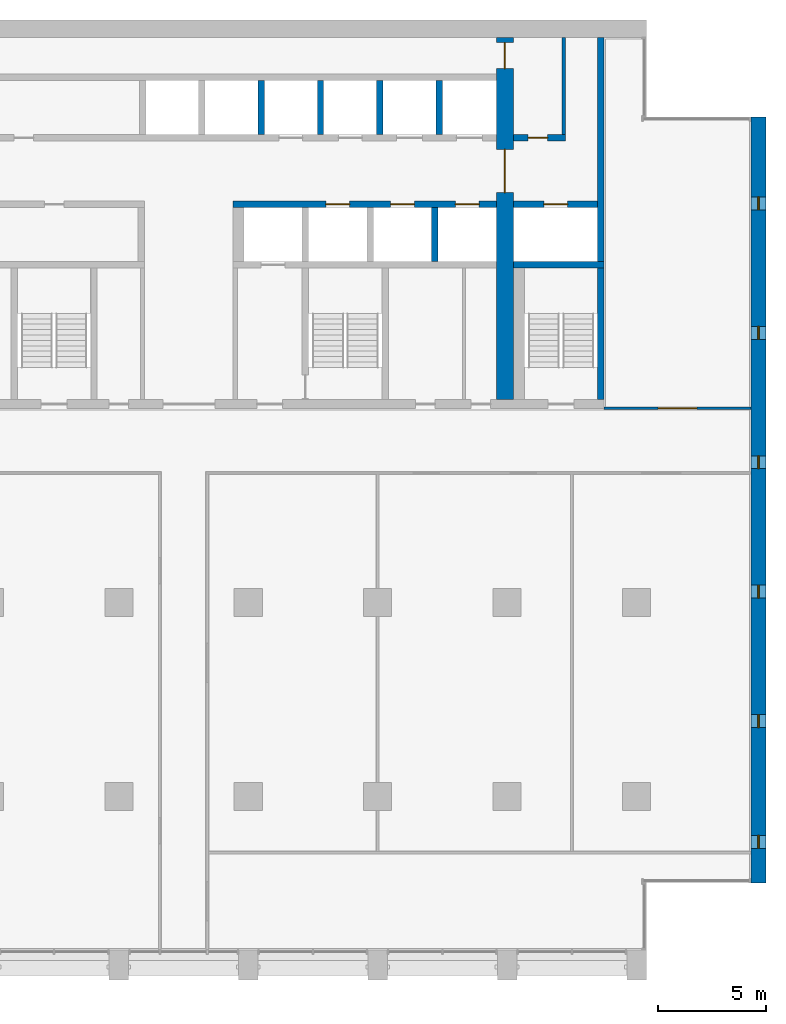
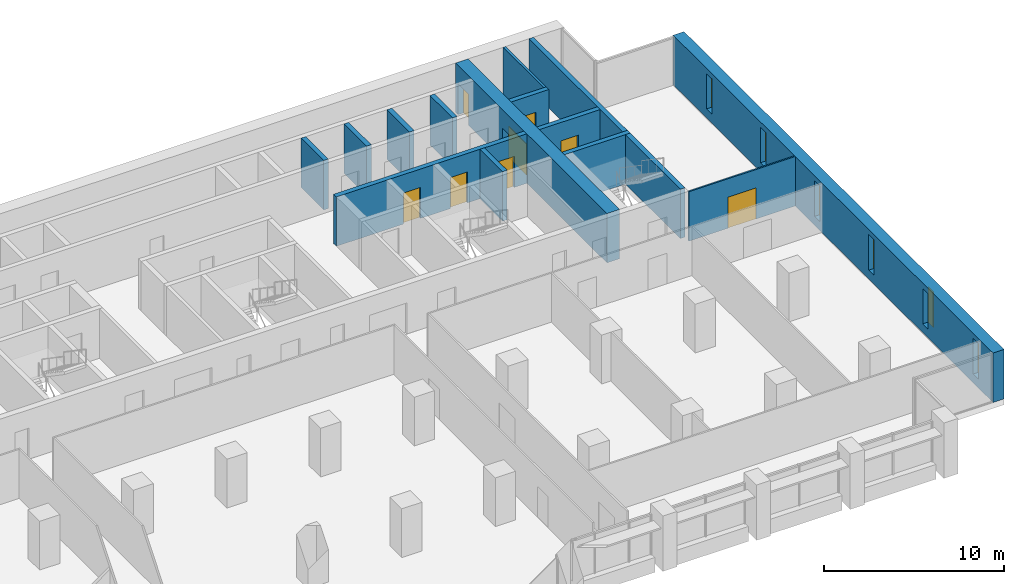
# One storey, part 11 of 15: 15 walls, 8 doors, 6 windows, 14 openings.
"""IFC4 building model written with IfcOpenShell, lengths in metres."""

from ifc_helpers import new_model, si_unit, direction, frame, frame_2d, origin, place, context, subcontext, project, spatial, rectangle, extrude, material, layer, layer_set, type_object, element, fill, save


model = new_model("IFC4")

# Units and contexts
model_context = context("Model", 3, precision=1e-05, world=origin(), true_north=direction((0.0, 1.0)))
body_context = subcontext(model_context, "Body", "Model", "MODEL_VIEW")
ifc_project = project(units=[si_unit("LENGTHUNIT", "METRE"), si_unit("AREAUNIT", "SQUARE_METRE"), si_unit("VOLUMEUNIT", "CUBIC_METRE"), si_unit("PLANEANGLEUNIT", "RADIAN"), si_unit("MASSUNIT", "GRAM", prefix="KILO")], contexts=[model_context])

# Site, building, storey
site_placement = place(None, origin())
site = spatial("IfcSite", under=ifc_project, at=site_placement, CompositionType="ELEMENT")
building_placement = place(site_placement, origin())
building = spatial("IfcBuilding", under=site, at=building_placement, Name="Calvaro Tower", CompositionType="ELEMENT")
storey_placement = place(building_placement, frame((0.0, 0.0, 128.75)))
storey = spatial("IfcBuildingStorey", under=building, at=storey_placement, Name="L32", CompositionType="ELEMENT", Elevation=128.75)

# Wall
ifc_material_1 = material(Name="Blockwork partition", Category="masonry")
ifc_layer_1 = layer(ifc_material_1, 0.14990234375)
ifc_layer_set_1 = layer_set([ifc_layer_1], Name="Blockwork partition")
wall_type_1 = type_object("IfcWallType", Name="Core partition 150 REI 120", PredefinedType="PARTITIONING", material=ifc_layer_set_1)
wall_1_placement = place(storey_placement, frame((62.625, 40.699951171875, 0.0), z_axis=(0.0, 0.0, 1.0), x_axis=(0.0, 1.0, 0.0)))
element("IfcWall", 1, at=wall_1_placement, inside=storey, type_object=wall_type_1, Name="Core partition", PredefinedType="PARTITIONING", context=body_context, shape_type="SweptSolid", body=[
    extrude(rectangle(XDim=4.5, YDim=0.14990234375, at=frame_2d((2.25, 0.0))), origin(), (0.0, 0.0, 1.0), 3.35009765625),
])

# Wall, opening, door
ifc_material_2 = material(Name="Blockwork partition", Category="masonry")
ifc_layer_2 = layer(ifc_material_2, 0.300048828125)
ifc_layer_set_2 = layer_set([ifc_layer_2], Name="Blockwork partition")
wall_type_2 = type_object("IfcWallType", Name="Core partition 300 REI 120", PredefinedType="PARTITIONING", material=ifc_layer_set_2)
wall_2_placement = place(storey_placement, frame((60.300048828125, 40.550048828125, 0.0), z_axis=(0.0, 0.0, 1.0), x_axis=(1.0, 0.0, 0.0)))
wall_2 = element("IfcWall", 2, at=wall_2_placement, inside=storey, type_object=wall_type_2, Name="Core partition", PredefinedType="PARTITIONING", context=body_context, shape_type="SweptSolid", body=[
    extrude(rectangle(XDim=2.39990234375, YDim=0.300048828125, at=frame_2d((1.199951171875, 0.0))), origin(), (0.0, 0.0, 1.0), 3.35009765625),
])
opening_1_placement = place(wall_2_placement, frame((0.675048828125, 0.0, 0.0)))
opening_1 = element("IfcOpeningElement", 3, at=opening_1_placement, cuts=wall_2, Name="Opening RD9E", PredefinedType="OPENING", context=body_context, shape_type="SweptSolid", body=[
    extrude(rectangle(XDim=0.89990234375, YDim=2.10009765625, at=frame_2d((0.449951171875, 1.050048828125))), frame((0.0, 0.159912109375, 0.0), z_axis=(0.0, -1.0, 0.0), x_axis=(1.0, 0.0, 0.0)), (0.0, 0.0, 1.0), 0.320068359375),
])
ifc_material_3 = material(Name="Steel door set", Category="steel")
door_type_1 = type_object("IfcDoorType", Name="Room door 900 FD60", OperationType="SINGLE_SWING_LEFT", PredefinedType="DOOR", material=ifc_material_3)
door_1_placement = place(opening_1_placement, origin())
door_1 = element("IfcDoor", 4, at=door_1_placement, inside=storey, type_object=door_type_1, Name="Room door", OperationType="SINGLE_SWING_LEFT", OverallHeight=2.10009765625, OverallWidth=0.89990234375, PredefinedType="DOOR", context=body_context, shape_type="SweptSolid", body=[
    extrude(rectangle(XDim=0.89990234375, YDim=2.10009765625, at=frame_2d((0.449951171875, 1.050048828125))), frame((0.0, 0.02490234375, 0.0), z_axis=(0.0, -1.0, 0.0), x_axis=(1.0, 0.0, 0.0)), (0.0, 0.0, 1.0), 0.050048828125),
])
fill(opening_1, door_1)

# Walls
ifc_material_4 = material(Name="Concrete C60/75", Category="concrete")
ifc_layer_3 = layer(ifc_material_4, 0.300048828125)
ifc_layer_set_3 = layer_set([ifc_layer_3], Name="Concrete C60/75")
wall_type_3 = type_object("IfcWallType", Name="Core wall C60/75 300", PredefinedType="SHEAR", material=ifc_layer_set_3)
wall_3_placement = place(storey_placement, frame((64.35009765625, 34.800048828125, 0.0), z_axis=(0.0, 0.0, 1.0), x_axis=(0.0, 1.0, 0.0)))
element("IfcWall", 5, at=wall_3_placement, inside=storey, type_object=wall_type_3, Name="Core wall, boundary", PredefinedType="SHEAR", context=body_context, shape_type="SweptSolid", body=[
    extrude(rectangle(XDim=10.39990234375, YDim=0.300048828125, at=frame_2d((5.199951171875, 0.0))), origin(), (0.0, 0.0, 1.0), 3.35009765625),
])
wall_4_placement = place(storey_placement, frame((64.35009765625, 28.39990234375, 0.0), z_axis=(0.0, 0.0, 1.0), x_axis=(0.0, 1.0, 0.0)))
element("IfcWall", 6, at=wall_4_placement, inside=storey, type_object=wall_type_3, Name="Core wall, stair enclosure", PredefinedType="SHEAR", context=body_context, shape_type="SweptSolid", body=[
    extrude(rectangle(XDim=6.10009765625, YDim=0.300048828125, at=frame_2d((3.050048828125, 0.0))), origin(), (0.0, 0.0, 1.0), 3.35009765625),
])
wall_5_placement = place(storey_placement, frame((60.300048828125, 34.64990234375, 0.0), z_axis=(0.0, 0.0, 1.0), x_axis=(1.0, 0.0, 0.0)))
element("IfcWall", 7, at=wall_5_placement, inside=storey, type_object=wall_type_3, Name="Core wall, lift shaft", PredefinedType="SHEAR", context=body_context, shape_type="SweptSolid", body=[
    extrude(rectangle(XDim=4.199951171875, YDim=0.300048828125, at=frame_2d((2.10009765625, 0.0))), origin(), (0.0, 0.0, 1.0), 3.35009765625),
])

# Wall, openings, doors
wall_6_placement = place(storey_placement, frame((47.300048828125, 37.449951171875, 0.0), z_axis=(0.0, 0.0, 1.0), x_axis=(1.0, 0.0, 0.0)))
wall_6 = element("IfcWall", 8, at=wall_6_placement, inside=storey, type_object=wall_type_3, Name="Core wall, lift shaft", PredefinedType="SHEAR", context=body_context, shape_type="SweptSolid", body=[
    extrude(rectangle(XDim=12.199951171875, YDim=0.300048828125, at=frame_2d((6.10009765625, 0.0))), origin(), (0.0, 0.0, 1.0), 3.35009765625),
])
opening_2_placement = place(wall_6_placement, frame((4.300048828125, 0.0, 0.0)))
opening_2 = element("IfcOpeningElement", 9, at=opening_2_placement, cuts=wall_6, Name="Opening MR1", PredefinedType="OPENING", context=body_context, shape_type="SweptSolid", body=[
    extrude(rectangle(XDim=1.10009765625, YDim=2.10009765625, at=frame_2d((0.550048828125, 1.050048828125))), frame((0.0, 0.159912109375, 0.0), z_axis=(0.0, -1.0, 0.0), x_axis=(1.0, 0.0, 0.0)), (0.0, 0.0, 1.0), 0.320068359375),
])
opening_3_placement = place(wall_6_placement, frame((7.300048828125, 0.0, 0.0)))
opening_3 = element("IfcOpeningElement", 10, at=opening_3_placement, cuts=wall_6, Name="Opening MR2", PredefinedType="OPENING", context=body_context, shape_type="SweptSolid", body=[
    extrude(rectangle(XDim=1.10009765625, YDim=2.10009765625, at=frame_2d((0.550048828125, 1.050048828125))), frame((0.0, 0.159912109375, 0.0), z_axis=(0.0, -1.0, 0.0), x_axis=(1.0, 0.0, 0.0)), (0.0, 0.0, 1.0), 0.320068359375),
])
opening_4_placement = place(wall_6_placement, frame((10.300048828125, 0.0, 0.0)))
opening_4 = element("IfcOpeningElement", 11, at=opening_4_placement, cuts=wall_6, Name="Opening MR3", PredefinedType="OPENING", context=body_context, shape_type="SweptSolid", body=[
    extrude(rectangle(XDim=1.10009765625, YDim=2.10009765625, at=frame_2d((0.550048828125, 1.050048828125))), frame((0.0, 0.159912109375, 0.0), z_axis=(0.0, -1.0, 0.0), x_axis=(1.0, 0.0, 0.0)), (0.0, 0.0, 1.0), 0.320068359375),
])
ifc_material_5 = material(Name="Stainless steel", Category="steel")
door_type_2 = type_object("IfcDoorType", Name="Landing door 1100 E 60", OperationType="SLIDING_TO_LEFT", PredefinedType="DOOR", material=ifc_material_5)
door_2_placement = place(opening_2_placement, origin())
door_2 = element("IfcDoor", 12, at=door_2_placement, inside=storey, type_object=door_type_2, Name="Landing door MR1", OperationType="SLIDING_TO_LEFT", OverallHeight=2.10009765625, OverallWidth=1.10009765625, PredefinedType="DOOR", context=body_context, shape_type="SweptSolid", body=[
    extrude(rectangle(XDim=1.10009765625, YDim=2.10009765625, at=frame_2d((0.550048828125, 1.050048828125))), frame((0.0, 0.02490234375, 0.0), z_axis=(0.0, -1.0, 0.0), x_axis=(1.0, 0.0, 0.0)), (0.0, 0.0, 1.0), 0.050048828125),
])
fill(opening_2, door_2)
door_3_placement = place(opening_3_placement, origin())
door_3 = element("IfcDoor", 13, at=door_3_placement, inside=storey, type_object=door_type_2, Name="Landing door MR2", OperationType="SLIDING_TO_LEFT", OverallHeight=2.10009765625, OverallWidth=1.10009765625, PredefinedType="DOOR", context=body_context, shape_type="SweptSolid", body=[
    extrude(rectangle(XDim=1.10009765625, YDim=2.10009765625, at=frame_2d((0.550048828125, 1.050048828125))), frame((0.0, 0.02490234375, 0.0), z_axis=(0.0, -1.0, 0.0), x_axis=(1.0, 0.0, 0.0)), (0.0, 0.0, 1.0), 0.050048828125),
])
fill(opening_3, door_3)
door_4_placement = place(opening_4_placement, origin())
door_4 = element("IfcDoor", 14, at=door_4_placement, inside=storey, type_object=door_type_2, Name="Landing door MR3", OperationType="SLIDING_TO_LEFT", OverallHeight=2.10009765625, OverallWidth=1.10009765625, PredefinedType="DOOR", context=body_context, shape_type="SweptSolid", body=[
    extrude(rectangle(XDim=1.10009765625, YDim=2.10009765625, at=frame_2d((0.550048828125, 1.050048828125))), frame((0.0, 0.02490234375, 0.0), z_axis=(0.0, -1.0, 0.0), x_axis=(1.0, 0.0, 0.0)), (0.0, 0.0, 1.0), 0.050048828125),
])
fill(opening_4, door_4)

# Wall, opening, door
wall_7_placement = place(storey_placement, frame((60.300048828125, 37.449951171875, 0.0), z_axis=(0.0, 0.0, 1.0), x_axis=(1.0, 0.0, 0.0)))
wall_7 = element("IfcWall", 15, at=wall_7_placement, inside=storey, type_object=wall_type_3, Name="Core wall, lift shaft", PredefinedType="SHEAR", context=body_context, shape_type="SweptSolid", body=[
    extrude(rectangle(XDim=3.89990234375, YDim=0.300048828125, at=frame_2d((1.949951171875, 0.0))), origin(), (0.0, 0.0, 1.0), 3.35009765625),
])
opening_5_placement = place(wall_7_placement, frame((1.39990234375, 0.0, 0.0)))
opening_5 = element("IfcOpeningElement", 16, at=opening_5_placement, cuts=wall_7, Name="Opening FF3", PredefinedType="OPENING", context=body_context, shape_type="SweptSolid", body=[
    extrude(rectangle(XDim=1.10009765625, YDim=2.10009765625, at=frame_2d((0.550048828125, 1.050048828125))), frame((0.0, 0.159912109375, 0.0), z_axis=(0.0, -1.0, 0.0), x_axis=(1.0, 0.0, 0.0)), (0.0, 0.0, 1.0), 0.320068359375),
])
door_5_placement = place(opening_5_placement, origin())
door_5 = element("IfcDoor", 17, at=door_5_placement, inside=storey, type_object=door_type_2, Name="Landing door FF3", OperationType="SLIDING_TO_LEFT", OverallHeight=2.10009765625, OverallWidth=1.10009765625, PredefinedType="DOOR", context=body_context, shape_type="SweptSolid", body=[
    extrude(rectangle(XDim=1.10009765625, YDim=2.10009765625, at=frame_2d((0.550048828125, 1.050048828125))), frame((0.0, 0.02490234375, 0.0), z_axis=(0.0, -1.0, 0.0), x_axis=(1.0, 0.0, 0.0)), (0.0, 0.0, 1.0), 0.050048828125),
])
fill(opening_5, door_5)

# Walls
for number, where, z_axis, x_axis, name in (
    (18, (56.64990234375, 34.800048828125, 0.0), (0.0, 0.0, 1.0), (0.0, 1.0, 0.0), "Core wall, lift shaft"),
    (19, (48.60009765625, 40.699951171875, 0.0), (0.0, 0.0, 1.0), (0.0, 1.0, 0.0), "Core wall, lift shaft"),
    (20, (51.35009765625, 40.699951171875, 0.0), (0.0, 0.0, 1.0), (0.0, 1.0, 0.0), "Core wall, lift shaft"),
    (21, (54.10009765625, 40.699951171875, 0.0), (0.0, 0.0, 1.0), (0.0, 1.0, 0.0), "Core wall, lift shaft"),
    (22, (56.85009765625, 40.699951171875, 0.0), (0.0, 0.0, 1.0), (0.0, 1.0, 0.0), "Core wall, lift shaft"),
):
    element("IfcWall", number, at=place(storey_placement, frame(where, z_axis=z_axis, x_axis=x_axis)), inside=storey, type_object=wall_type_3, Name=name, PredefinedType="SHEAR", context=body_context, shape_type="SweptSolid", body=[
        extrude(rectangle(XDim=2.5, YDim=0.300048828125, at=frame_2d((1.25, 0.0))), origin(), (0.0, 0.0, 1.0), 3.35009765625),
    ])

# Wall, openings, doors
ifc_material_6 = material(Name="Concrete C60/75", Category="concrete")
ifc_layer_4 = layer(ifc_material_6, 0.800048828125)
ifc_layer_set_4 = layer_set([ifc_layer_4], Name="Concrete C60/75")
wall_type_4 = type_object("IfcWallType", Name="Core wall C60/75 800", PredefinedType="SHEAR", material=ifc_layer_set_4)
wall_8_placement = place(storey_placement, frame((59.89990234375, 28.39990234375, 0.0), z_axis=(0.0, 0.0, 1.0), x_axis=(0.0, 1.0, 0.0)))
wall_8 = element("IfcWall", 23, at=wall_8_placement, inside=storey, type_object=wall_type_4, Name="Core wall, cross shear wall", PredefinedType="SHEAR", context=body_context, shape_type="SweptSolid", body=[
    extrude(rectangle(XDim=16.800048828125, YDim=0.800048828125, at=frame_2d((8.39990234375, 0.0))), origin(), (0.0, 0.0, 1.0), 3.35009765625),
])
opening_6_placement = place(wall_8_placement, frame((9.60009765625, 0.0, 0.0)))
opening_6 = element("IfcOpeningElement", 24, at=opening_6_placement, cuts=wall_8, Name="Opening DD20D", PredefinedType="OPENING", context=body_context, shape_type="SweptSolid", body=[
    extrude(rectangle(XDim=2.0, YDim=2.10009765625, at=frame_2d((1.0, 1.050048828125))), frame((0.0, 0.409912109375, 0.0), z_axis=(0.0, -1.0, 0.0), x_axis=(1.0, 0.0, 0.0)), (0.0, 0.0, 1.0), 0.820068359375),
])
opening_7_placement = place(wall_8_placement, frame((15.35009765625, 0.0, 0.0)))
opening_7 = element("IfcOpeningElement", 25, at=opening_7_placement, cuts=wall_8, Name="Opening FD12C", PredefinedType="OPENING", context=body_context, shape_type="SweptSolid", body=[
    extrude(rectangle(XDim=1.199951171875, YDim=2.10009765625, at=frame_2d((0.60009765625, 1.050048828125))), frame((0.0, 0.409912109375, 0.0), z_axis=(0.0, -1.0, 0.0), x_axis=(1.0, 0.0, 0.0)), (0.0, 0.0, 1.0), 0.820068359375),
])
ifc_material_7 = material(Name="Steel door set", Category="steel")
door_type_3 = type_object("IfcDoorType", Name="Fire door 1200 FD30", OperationType="SINGLE_SWING_LEFT", PredefinedType="DOOR", material=ifc_material_7)
door_6_placement = place(opening_7_placement, origin())
door_6 = element("IfcDoor", 26, at=door_6_placement, inside=storey, type_object=door_type_3, Name="Fire door", OperationType="SINGLE_SWING_LEFT", OverallHeight=2.10009765625, OverallWidth=1.199951171875, PredefinedType="DOOR", context=body_context, shape_type="SweptSolid", body=[
    extrude(rectangle(XDim=1.199951171875, YDim=2.10009765625, at=frame_2d((0.60009765625, 1.050048828125))), frame((0.0, 0.02490234375, 0.0), z_axis=(0.0, -1.0, 0.0), x_axis=(1.0, 0.0, 0.0)), (0.0, 0.0, 1.0), 0.050048828125),
])
fill(opening_7, door_6)
ifc_material_8 = material(Name="Steel door set", Category="steel")
door_type_4 = type_object("IfcDoorType", Name="Lobby double door 2000 FD30S", OperationType="DOUBLE_DOOR_SINGLE_SWING", PredefinedType="DOOR", material=ifc_material_8)
door_7_placement = place(opening_6_placement, origin())
door_7 = element("IfcDoor", 27, at=door_7_placement, inside=storey, type_object=door_type_4, Name="Lobby double door", OperationType="DOUBLE_DOOR_SINGLE_SWING", OverallHeight=2.10009765625, OverallWidth=2.0, PredefinedType="DOOR", context=body_context, shape_type="SweptSolid", body=[
    extrude(rectangle(XDim=2.0, YDim=2.10009765625, at=frame_2d((1.0, 1.050048828125))), frame((0.0, 0.02490234375, 0.0), z_axis=(0.0, -1.0, 0.0), x_axis=(1.0, 0.0, 0.0)), (0.0, 0.0, 1.0), 0.050048828125),
])
fill(opening_6, door_7)

# Wall, openings, windows
ifc_material_9 = material(Name="Concrete C60/75", Category="concrete")
ifc_layer_5 = layer(ifc_material_9, 0.699951171875)
ifc_layer_set_5 = layer_set([ifc_layer_5], Name="Concrete C60/75")
wall_type_5 = type_object("IfcWallType", Name="End wall 700 C60/75", PredefinedType="SHEAR", material=ifc_layer_set_5)
wall_9_placement = place(storey_placement, frame((71.64990234375, 6.0, 0.0), z_axis=(0.0, 0.0, 1.0), x_axis=(0.0, 1.0, 0.0)))
wall_9 = element("IfcWall", 28, at=wall_9_placement, inside=storey, type_object=wall_type_5, Name="End shear wall", PredefinedType="SHEAR", context=body_context, shape_type="SweptSolid", body=[
    extrude(rectangle(XDim=35.5, YDim=0.699951171875, at=frame_2d((17.75, 0.0))), origin(), (0.0, 0.0, 1.0), 3.35009765625),
])
opening_8_placement = place(wall_9_placement, frame((1.60009765625, 0.0, 0.60009765625)))
opening_8 = element("IfcOpeningElement", 29, at=opening_8_placement, cuts=wall_9, Name="Opening WE01", PredefinedType="OPENING", context=body_context, shape_type="SweptSolid", body=[
    extrude(rectangle(XDim=0.60009765625, YDim=2.39990234375, at=frame_2d((0.300048828125, 1.199951171875))), frame((0.0, 0.35986328125, 0.0), z_axis=(0.0, -1.0, 0.0), x_axis=(1.0, 0.0, 0.0)), (0.0, 0.0, 1.0), 0.719970703125),
])
opening_9_placement = place(wall_9_placement, frame((7.199951171875, 0.0, 0.60009765625)))
opening_9 = element("IfcOpeningElement", 30, at=opening_9_placement, cuts=wall_9, Name="Opening WE02", PredefinedType="OPENING", context=body_context, shape_type="SweptSolid", body=[
    extrude(rectangle(XDim=0.60009765625, YDim=2.39990234375, at=frame_2d((0.300048828125, 1.199951171875))), frame((0.0, 0.35986328125, 0.0), z_axis=(0.0, -1.0, 0.0), x_axis=(1.0, 0.0, 0.0)), (0.0, 0.0, 1.0), 0.719970703125),
])
opening_10_placement = place(wall_9_placement, frame((13.199951171875, 0.0, 0.60009765625)))
opening_10 = element("IfcOpeningElement", 31, at=opening_10_placement, cuts=wall_9, Name="Opening WE03", PredefinedType="OPENING", context=body_context, shape_type="SweptSolid", body=[
    extrude(rectangle(XDim=0.60009765625, YDim=2.39990234375, at=frame_2d((0.300048828125, 1.199951171875))), frame((0.0, 0.35986328125, 0.0), z_axis=(0.0, -1.0, 0.0), x_axis=(1.0, 0.0, 0.0)), (0.0, 0.0, 1.0), 0.719970703125),
])
opening_11_placement = place(wall_9_placement, frame((19.199951171875, 0.0, 0.60009765625)))
opening_11 = element("IfcOpeningElement", 32, at=opening_11_placement, cuts=wall_9, Name="Opening WE04", PredefinedType="OPENING", context=body_context, shape_type="SweptSolid", body=[
    extrude(rectangle(XDim=0.60009765625, YDim=2.39990234375, at=frame_2d((0.300048828125, 1.199951171875))), frame((0.0, 0.35986328125, 0.0), z_axis=(0.0, -1.0, 0.0), x_axis=(1.0, 0.0, 0.0)), (0.0, 0.0, 1.0), 0.719970703125),
])
opening_12_placement = place(wall_9_placement, frame((25.199951171875, 0.0, 0.60009765625)))
opening_12 = element("IfcOpeningElement", 33, at=opening_12_placement, cuts=wall_9, Name="Opening WE05", PredefinedType="OPENING", context=body_context, shape_type="SweptSolid", body=[
    extrude(rectangle(XDim=0.60009765625, YDim=2.39990234375, at=frame_2d((0.300048828125, 1.199951171875))), frame((0.0, 0.35986328125, 0.0), z_axis=(0.0, -1.0, 0.0), x_axis=(1.0, 0.0, 0.0)), (0.0, 0.0, 1.0), 0.719970703125),
])
opening_13_placement = place(wall_9_placement, frame((31.199951171875, 0.0, 0.60009765625)))
opening_13 = element("IfcOpeningElement", 34, at=opening_13_placement, cuts=wall_9, Name="Opening WE06", PredefinedType="OPENING", context=body_context, shape_type="SweptSolid", body=[
    extrude(rectangle(XDim=0.60009765625, YDim=2.39990234375, at=frame_2d((0.300048828125, 1.199951171875))), frame((0.0, 0.35986328125, 0.0), z_axis=(0.0, -1.0, 0.0), x_axis=(1.0, 0.0, 0.0)), (0.0, 0.0, 1.0), 0.719970703125),
])
ifc_material_10 = material(Name="Glass", Category="glass")
window_type = type_object("IfcWindowType", Name="Slit window 600 x 2400", PartitioningType="SINGLE_PANEL", PredefinedType="WINDOW", material=ifc_material_10)
window_1_placement = place(opening_8_placement, origin())
window_1 = element("IfcWindow", 35, at=window_1_placement, inside=storey, type_object=window_type, Name="Window WE01", OverallHeight=2.39990234375, OverallWidth=0.60009765625, PartitioningType="SINGLE_PANEL", PredefinedType="WINDOW", context=body_context, shape_type="SweptSolid", body=[
    extrude(rectangle(XDim=0.60009765625, YDim=2.39990234375, at=frame_2d((0.300048828125, 1.199951171875))), frame((0.0, 0.030029296875, 0.0), z_axis=(0.0, -1.0, 0.0), x_axis=(1.0, 0.0, 0.0)), (0.0, 0.0, 1.0), 0.06005859375),
])
fill(opening_8, window_1)
window_2_placement = place(opening_9_placement, origin())
window_2 = element("IfcWindow", 36, at=window_2_placement, inside=storey, type_object=window_type, Name="Window WE02", OverallHeight=2.39990234375, OverallWidth=0.60009765625, PartitioningType="SINGLE_PANEL", PredefinedType="WINDOW", context=body_context, shape_type="SweptSolid", body=[
    extrude(rectangle(XDim=0.60009765625, YDim=2.39990234375, at=frame_2d((0.300048828125, 1.199951171875))), frame((0.0, 0.030029296875, 0.0), z_axis=(0.0, -1.0, 0.0), x_axis=(1.0, 0.0, 0.0)), (0.0, 0.0, 1.0), 0.06005859375),
])
fill(opening_9, window_2)
window_3_placement = place(opening_10_placement, origin())
window_3 = element("IfcWindow", 37, at=window_3_placement, inside=storey, type_object=window_type, Name="Window WE03", OverallHeight=2.39990234375, OverallWidth=0.60009765625, PartitioningType="SINGLE_PANEL", PredefinedType="WINDOW", context=body_context, shape_type="SweptSolid", body=[
    extrude(rectangle(XDim=0.60009765625, YDim=2.39990234375, at=frame_2d((0.300048828125, 1.199951171875))), frame((0.0, 0.030029296875, 0.0), z_axis=(0.0, -1.0, 0.0), x_axis=(1.0, 0.0, 0.0)), (0.0, 0.0, 1.0), 0.06005859375),
])
fill(opening_10, window_3)
window_4_placement = place(opening_11_placement, origin())
window_4 = element("IfcWindow", 38, at=window_4_placement, inside=storey, type_object=window_type, Name="Window WE04", OverallHeight=2.39990234375, OverallWidth=0.60009765625, PartitioningType="SINGLE_PANEL", PredefinedType="WINDOW", context=body_context, shape_type="SweptSolid", body=[
    extrude(rectangle(XDim=0.60009765625, YDim=2.39990234375, at=frame_2d((0.300048828125, 1.199951171875))), frame((0.0, 0.030029296875, 0.0), z_axis=(0.0, -1.0, 0.0), x_axis=(1.0, 0.0, 0.0)), (0.0, 0.0, 1.0), 0.06005859375),
])
fill(opening_11, window_4)
window_5_placement = place(opening_12_placement, origin())
window_5 = element("IfcWindow", 39, at=window_5_placement, inside=storey, type_object=window_type, Name="Window WE05", OverallHeight=2.39990234375, OverallWidth=0.60009765625, PartitioningType="SINGLE_PANEL", PredefinedType="WINDOW", context=body_context, shape_type="SweptSolid", body=[
    extrude(rectangle(XDim=0.60009765625, YDim=2.39990234375, at=frame_2d((0.300048828125, 1.199951171875))), frame((0.0, 0.030029296875, 0.0), z_axis=(0.0, -1.0, 0.0), x_axis=(1.0, 0.0, 0.0)), (0.0, 0.0, 1.0), 0.06005859375),
])
fill(opening_12, window_5)
window_6_placement = place(opening_13_placement, origin())
window_6 = element("IfcWindow", 40, at=window_6_placement, inside=storey, type_object=window_type, Name="Window WE06", OverallHeight=2.39990234375, OverallWidth=0.60009765625, PartitioningType="SINGLE_PANEL", PredefinedType="WINDOW", context=body_context, shape_type="SweptSolid", body=[
    extrude(rectangle(XDim=0.60009765625, YDim=2.39990234375, at=frame_2d((0.300048828125, 1.199951171875))), frame((0.0, 0.030029296875, 0.0), z_axis=(0.0, -1.0, 0.0), x_axis=(1.0, 0.0, 0.0)), (0.0, 0.0, 1.0), 0.06005859375),
])
fill(opening_13, window_6)

# Wall, opening, door
ifc_material_11 = material(Name="Plasterboard on steel studs", Category="steel")
ifc_layer_6 = layer(ifc_material_11, 0.10009765625)
ifc_layer_set_6 = layer_set([ifc_layer_6], Name="Plasterboard on steel studs")
wall_type_6 = type_object("IfcWallType", Name="Partition 100", PredefinedType="PARTITIONING", material=ifc_layer_set_6)
wall_10_placement = place(storey_placement, frame((64.5, 28.0, 0.0), z_axis=(0.0, 0.0, 1.0), x_axis=(1.0, 0.0, 0.0)))
wall_10 = element("IfcWall", 41, at=wall_10_placement, inside=storey, type_object=wall_type_6, Name="Partition T20.W007", PredefinedType="PARTITIONING", context=body_context, shape_type="SweptSolid", body=[
    extrude(rectangle(XDim=6.800048828125, YDim=0.10009765625, at=frame_2d((3.39990234375, 0.0))), origin(), (0.0, 0.0, 1.0), 3.35009765625),
])
opening_14_placement = place(wall_10_placement, frame((2.5, 0.0, 0.0)))
opening_14 = element("IfcOpeningElement", 42, at=opening_14_placement, cuts=wall_10, Name="Opening T20.013", PredefinedType="OPENING", context=body_context, shape_type="SweptSolid", body=[
    extrude(rectangle(XDim=1.800048828125, YDim=2.10009765625, at=frame_2d((0.89990234375, 1.050048828125))), frame((0.0, 0.06005859375, 0.0), z_axis=(0.0, -1.0, 0.0), x_axis=(1.0, 0.0, 0.0)), (0.0, 0.0, 1.0), 0.1201171875),
])
ifc_material_12 = material(Name="Timber", Category="wood")
door_type_5 = type_object("IfcDoorType", Name="Internal double door 1800 x 2100", OperationType="DOUBLE_DOOR_SINGLE_SWING", PredefinedType="DOOR", material=ifc_material_12)
door_8_placement = place(opening_14_placement, origin())
door_8 = element("IfcDoor", 43, at=door_8_placement, inside=storey, type_object=door_type_5, Name="Door T20.013", OperationType="DOUBLE_DOOR_SINGLE_SWING", OverallHeight=2.10009765625, OverallWidth=1.800048828125, PredefinedType="DOOR", context=body_context, shape_type="SweptSolid", body=[
    extrude(rectangle(XDim=1.800048828125, YDim=2.10009765625, at=frame_2d((0.89990234375, 1.050048828125))), frame((0.0, 0.02490234375, 0.0), z_axis=(0.0, -1.0, 0.0), x_axis=(1.0, 0.0, 0.0)), (0.0, 0.0, 1.0), 0.050048828125),
])
fill(opening_14, door_8)

save(model, "model.ifc")
